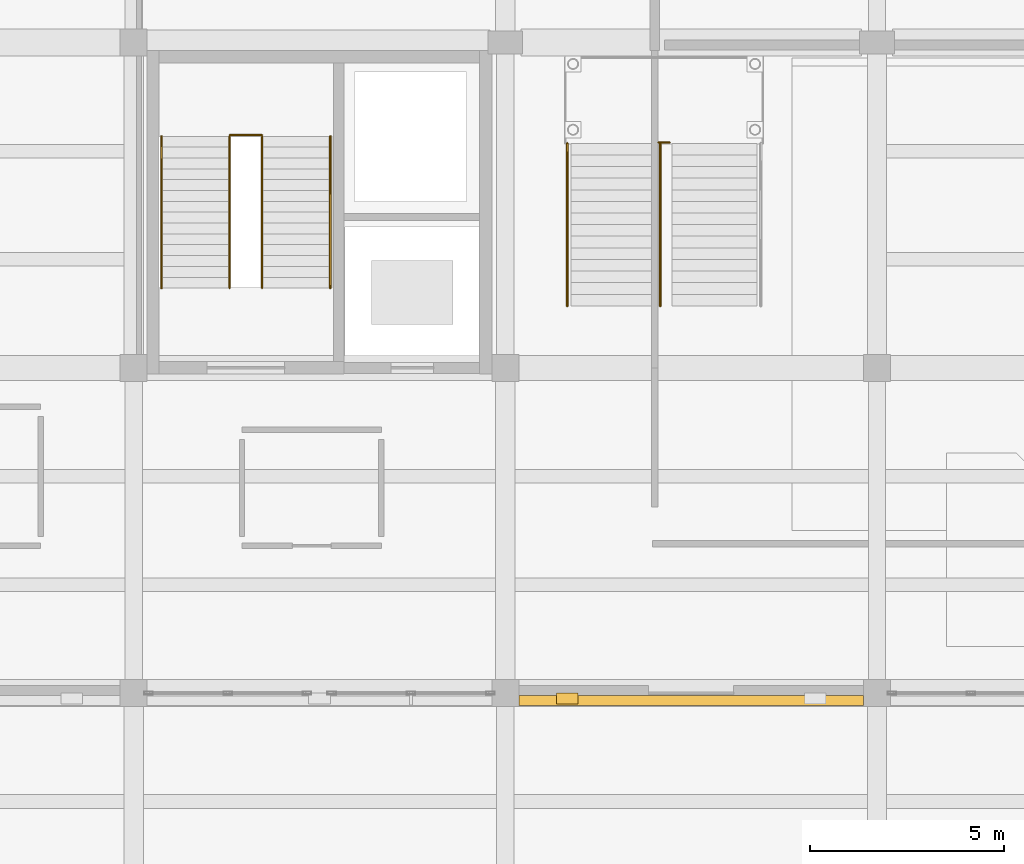
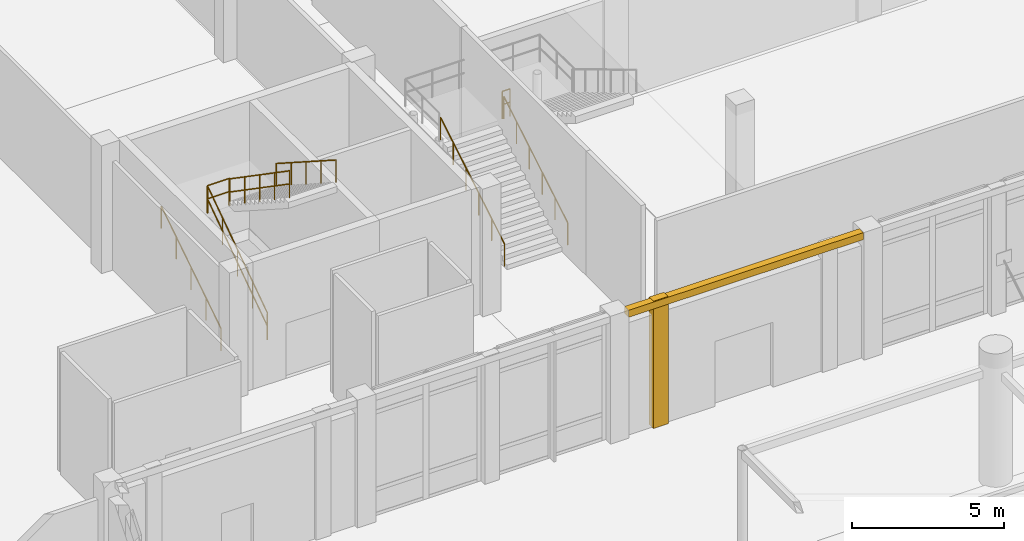
# One storey, part 62 of 71: 8 railings, 2 coverings.
"""IFC4 building model written with IfcOpenShell, lengths in metres."""

from ifc_helpers import new_model, si_unit, direction, frame, origin, origin_2d, place, context, subcontext, project, spatial, polyline, circle, outline, extrude, material, layer, layer_set, type_object, element, save


model = new_model("IFC4")

# Units and contexts
model_context = context("Model", 3, precision=1e-05, world=origin(), true_north=direction((0.0, 1.0)))
body_context = subcontext(model_context, "Body", "Model", "MODEL_VIEW")
ifc_project = project(units=[si_unit("LENGTHUNIT", "METRE"), si_unit("AREAUNIT", "SQUARE_METRE"), si_unit("VOLUMEUNIT", "CUBIC_METRE"), si_unit("PLANEANGLEUNIT", "RADIAN"), si_unit("MASSUNIT", "GRAM", prefix="KILO")], contexts=[model_context])

# Site, building, storey
site_placement = place(None, origin())
site = spatial("IfcSite", under=ifc_project, at=site_placement, CompositionType="ELEMENT")
building_placement = place(site_placement, origin())
building = spatial("IfcBuilding", under=site, at=building_placement, Name="Lornevale Opera House", CompositionType="ELEMENT")
storey_placement = place(building_placement, origin())
storey = spatial("IfcBuildingStorey", under=building, at=storey_placement, Name="L01", CompositionType="ELEMENT", Elevation=0.0)

# Railing
ifc_material_1 = material(Name="Structural Steel CSA G40.21 Grade 350W (350 MPa)", Category="steel")
ifc_layer_1 = layer(ifc_material_1, 0.06005859375)
ifc_layer_set_1 = layer_set([ifc_layer_1], Name="Structural Steel CSA G40.21 Grade 350W (350 MPa)")
railing_type_1 = type_object("IfcRailingType", Name="Atrium Acoustic Balustrade 1120", PredefinedType="BALUSTRADE", material=ifc_layer_set_1)
railing_1_placement = place(storey_placement, frame((61.550048828125, 31.02001953125, 2.699951171875)))
element("IfcRailing", 1, at=railing_1_placement, inside=storey, type_object=railing_type_1, Name="Grand Stair Landing Guard 0210", PredefinedType="BALUSTRADE", context=body_context, shape_type="SweptSolid", body=[
    extrude(circle(Radius=0.02392578125, at=origin_2d()), frame((0.0, 0.0, 1.09619140625), z_axis=(1.0, 0.0, 0.0), x_axis=(0.0, 1.0, 0.0)), (0.0, 0.0, 1.0), 0.300048828125),
    extrude(circle(Radius=0.02392578125, at=origin_2d()), frame((0.0, 0.0, 0.56005859375), z_axis=(1.0, 0.0, 0.0), x_axis=(0.0, 1.0, 0.0)), (0.0, 0.0, 1.0), 0.300048828125),
    extrude(circle(Radius=0.02099609375, at=origin_2d()), origin(), (0.0, 0.0, 1.0), 1.072021484375),
    extrude(circle(Radius=0.02099609375, at=origin_2d()), frame((0.300048828125, 0.0, 0.0)), (0.0, 0.0, 1.0), 1.072021484375),
])

# Coverings
ifc_material_2 = material(Name="Precast Concrete 40 MPa (CSA A23.1 C-1)", Category="concrete")
ifc_layer_2 = layer(ifc_material_2, 0.260009765625)
ifc_layer_set_2 = layer_set([ifc_layer_2], Name="Precast Concrete 40 MPa (CSA A23.1 C-1)")
covering_type_1 = type_object("IfcCoveringType", Name="Postmodern Sandstone Pilaster Rib", PredefinedType="CLADDING", material=ifc_layer_set_2)
covering_1_placement = place(storey_placement, origin())
element("IfcCovering", 2, at=covering_1_placement, inside=storey, type_object=covering_type_1, Name="Postmodern Sandstone Pilaster 0095", PredefinedType="CLADDING", context=body_context, shape_type="SweptSolid", body=[
    extrude(outline(polyline([(59.47607421875, 16.800048828125), (58.916015625, 16.800048828125), (58.916015625, 16.52001953125), (59.47607421875, 16.52001953125), (59.47607421875, 16.800048828125)])), origin(), (0.0, 0.0, 1.0), 5.10009765625),
])
ifc_material_3 = material(Name="Queenston Buff Limestone Ashlar Masonry (25 MPa)", Category="masonry")
ifc_layer_3 = layer(ifc_material_3, 0.1201171875)
ifc_layer_set_3 = layer_set([ifc_layer_3], Name="Queenston Buff Limestone Ashlar Masonry (25 MPa)")
covering_type_2 = type_object("IfcCoveringType", Name="Precast Limestone Cornice Band", PredefinedType="CLADDING", material=ifc_layer_set_3)
covering_2_placement = place(storey_placement, frame((0.0, 0.0, 4.820068359375)))
element("IfcCovering", 3, at=covering_2_placement, inside=storey, type_object=covering_type_2, Name="Precast Limestone Cornice Band 0096", PredefinedType="CLADDING", context=body_context, shape_type="SweptSolid", body=[
    extrude(outline(polyline([(66.85009765625, 16.739990234375), (57.949951171875, 16.739990234375), (57.949951171875, 16.47998046875), (66.85009765625, 16.47998046875), (66.85009765625, 16.739990234375)])), origin(), (0.0, 0.0, 1.0), 0.280029296875),
])

# Railings
ifc_layer_4 = layer(ifc_material_1, 0.050048828125)
ifc_layer_set_4 = layer_set([ifc_layer_4], Name="Structural Steel CSA G40.21 Grade 350W (350 MPa)")
railing_type_2 = type_object("IfcRailingType", Name="Stair Well Guardrail 1100", PredefinedType="GUARDRAIL", material=ifc_layer_set_4)
railing_2_placement = place(storey_placement, frame((50.47998046875, 27.260009765625, 0.0)))
element("IfcRailing", 4, at=railing_2_placement, inside=storey, type_object=railing_type_2, Name="ST-03 Inner Well Guard F1", PredefinedType="GUARDRAIL", context=body_context, shape_type="SweptSolid", body=[
    extrude(circle(Radius=0.02392578125, at=origin_2d()), frame((0.0, 0.0, 1.076171875), z_axis=(0.0, 0.823550731654, 0.567242622158), x_axis=(-1.0, 0.0, 0.0)), (0.0, 0.0, 1.0), 4.759765625),
    extrude(circle(Radius=0.02392578125, at=origin_2d()), frame((0.0, 0.0, 0.550048828125), z_axis=(0.0, 0.823550731654, 0.567242622158), x_axis=(-1.0, 0.0, 0.0)), (0.0, 0.0, 1.0), 4.759765625),
    extrude(circle(Radius=0.02099609375, at=origin_2d()), origin(), (0.0, 0.0, 1.0), 1.052001953125),
    extrude(circle(Radius=0.02099609375, at=origin_2d()), frame((0.0, 0.97998046875, 0.675048828125)), (0.0, 0.0, 1.0), 1.052001953125),
    extrude(circle(Radius=0.02099609375, at=origin_2d()), frame((0.0, 1.9599609375, 1.35009765625)), (0.0, 0.0, 1.0), 1.052001953125),
    extrude(circle(Radius=0.02099609375, at=origin_2d()), frame((0.0, 2.93994140625, 2.02490234375)), (0.0, 0.0, 1.0), 1.052001953125),
    extrude(circle(Radius=0.02099609375, at=origin_2d()), frame((0.0, 3.919921875, 2.699951171875)), (0.0, 0.0, 1.0), 1.052001953125),
])
railing_3_placement = place(storey_placement, frame((51.320068359375, 31.179931640625, 2.699951171875)))
element("IfcRailing", 5, at=railing_3_placement, inside=storey, type_object=railing_type_2, Name="ST-03 Inner Well Guard F2", PredefinedType="GUARDRAIL", context=body_context, shape_type="SweptSolid", body=[
    extrude(circle(Radius=0.02392578125, at=origin_2d()), frame((0.0, 0.0, 1.076171875), z_axis=(0.0, -0.823550731654, 0.567242622158), x_axis=(1.0, 0.0, 0.0)), (0.0, 0.0, 1.0), 4.759765625),
    extrude(circle(Radius=0.02392578125, at=origin_2d()), frame((0.0, 0.0, 0.550048828125), z_axis=(0.0, -0.823550731654, 0.567242622158), x_axis=(1.0, 0.0, 0.0)), (0.0, 0.0, 1.0), 4.759765625),
    extrude(circle(Radius=0.02099609375, at=origin_2d()), origin(), (0.0, 0.0, 1.0), 1.052001953125),
    extrude(circle(Radius=0.02099609375, at=origin_2d()), frame((0.0, -0.97998046875, 0.675048828125)), (0.0, 0.0, 1.0), 1.052001953125),
    extrude(circle(Radius=0.02099609375, at=origin_2d()), frame((0.0, -1.9599609375, 1.35009765625)), (0.0, 0.0, 1.0), 1.052001953125),
    extrude(circle(Radius=0.02099609375, at=origin_2d()), frame((0.0, -2.93994140625, 2.02490234375)), (0.0, 0.0, 1.0), 1.052001953125),
    extrude(circle(Radius=0.02099609375, at=origin_2d()), frame((0.0, -3.919921875, 2.699951171875)), (0.0, 0.0, 1.0), 1.052001953125),
])
railing_4_placement = place(storey_placement, frame((50.47998046875, 31.2099609375, 2.699951171875)))
element("IfcRailing", 6, at=railing_4_placement, inside=storey, type_object=railing_type_2, Name="ST-03 Half-Landing Slot Guard", PredefinedType="GUARDRAIL", context=body_context, shape_type="SweptSolid", body=[
    extrude(circle(Radius=0.02392578125, at=origin_2d()), frame((0.0, 0.0, 1.076171875), z_axis=(1.0, 0.0, 0.0), x_axis=(0.0, 1.0, 0.0)), (0.0, 0.0, 1.0), 0.840087890625),
    extrude(circle(Radius=0.02392578125, at=origin_2d()), frame((0.0, 0.0, 0.550048828125), z_axis=(1.0, 0.0, 0.0), x_axis=(0.0, 1.0, 0.0)), (0.0, 0.0, 1.0), 0.840087890625),
    extrude(circle(Radius=0.02099609375, at=origin_2d()), origin(), (0.0, 0.0, 1.0), 1.052001953125),
    extrude(circle(Radius=0.02099609375, at=origin_2d()), frame((0.840087890625, 0.0, 0.0)), (0.0, 0.0, 1.0), 1.052001953125),
])
ifc_layer_5 = layer(ifc_material_1, 0.048095703125)
ifc_layer_set_5 = layer_set([ifc_layer_5], Name="Structural Steel CSA G40.21 Grade 350W (350 MPa)")
railing_type_3 = type_object("IfcRailingType", Name="Tubular Stair Handrail 915", PredefinedType="HANDRAIL", material=ifc_layer_set_5)
railing_5_placement = place(storey_placement, frame((48.719970703125, 27.260009765625, 0.18310546875)))
element("IfcRailing", 7, at=railing_5_placement, inside=storey, type_object=railing_type_3, Name="ST-03 Outer Handrail F1", PredefinedType="HANDRAIL", context=body_context, shape_type="SweptSolid", body=[
    extrude(circle(Radius=0.02392578125, at=origin_2d()), frame((0.0, 0.0, 0.89111328125), z_axis=(0.0, 0.84119549742, 0.540731111663), x_axis=(-1.0, 0.0, 0.0)), (0.0, 0.0, 1.0), 4.659912109375),
    extrude(circle(Radius=0.02099609375, at=origin_2d()), origin(), (0.0, 0.0, 1.0), 0.866943359375),
    extrude(circle(Radius=0.02099609375, at=origin_2d()), frame((0.0, 0.97998046875, 0.6298828125)), (0.0, 0.0, 1.0), 0.866943359375),
    extrude(circle(Radius=0.02099609375, at=origin_2d()), frame((0.0, 1.9599609375, 1.259765625)), (0.0, 0.0, 1.0), 0.866943359375),
    extrude(circle(Radius=0.02099609375, at=origin_2d()), frame((0.0, 2.93994140625, 1.889892578125)), (0.0, 0.0, 1.0), 0.866943359375),
    extrude(circle(Radius=0.02099609375, at=origin_2d()), frame((0.0, 3.919921875, 2.519775390625)), (0.0, 0.0, 1.0), 0.866943359375),
])
railing_6_placement = place(storey_placement, frame((53.080078125, 31.179931640625, 2.883056640625)))
element("IfcRailing", 8, at=railing_6_placement, inside=storey, type_object=railing_type_3, Name="ST-03 Outer Handrail F2", PredefinedType="HANDRAIL", context=body_context, shape_type="SweptSolid", body=[
    extrude(circle(Radius=0.02392578125, at=origin_2d()), frame((0.0, 0.0, 0.89111328125), z_axis=(0.0, -0.841171666519, 0.540768182723), x_axis=(1.0, 0.0, 0.0)), (0.0, 0.0, 1.0), 4.66015625),
    extrude(circle(Radius=0.02099609375, at=origin_2d()), origin(), (0.0, 0.0, 1.0), 0.866943359375),
    extrude(circle(Radius=0.02099609375, at=origin_2d()), frame((0.0, -0.97998046875, 0.6298828125)), (0.0, 0.0, 1.0), 0.866943359375),
    extrude(circle(Radius=0.02099609375, at=origin_2d()), frame((0.0, -1.9599609375, 1.260009765625)), (0.0, 0.0, 1.0), 0.866943359375),
    extrude(circle(Radius=0.02099609375, at=origin_2d()), frame((0.0, -2.93994140625, 1.89013671875)), (0.0, 0.0, 1.0), 0.866943359375),
    extrude(circle(Radius=0.02099609375, at=origin_2d()), frame((0.0, -3.919921875, 2.52001953125)), (0.0, 0.0, 1.0), 0.866943359375),
])
for number, where, name in (
    (9, (59.199951171875, 26.800048828125, 0.18310546875), "Grand Stair Handrail 0204"),
    (10, (61.60009765625, 26.800048828125, 0.18310546875), "Grand Stair Handrail 0205"),
):
    element("IfcRailing", number, at=place(storey_placement, frame(where)), inside=storey, type_object=railing_type_3, Name=name, PredefinedType="HANDRAIL", context=body_context, shape_type="SweptSolid", body=[
        extrude(circle(Radius=0.02392578125, at=origin_2d()), frame((0.0, 0.0, 0.89111328125), z_axis=(0.0, 0.857510518118, 0.514466433616), x_axis=(-1.0, 0.0, 0.0)), (0.0, 0.0, 1.0), 4.89794921875),
        extrude(circle(Radius=0.02099609375, at=origin_2d()), origin(), (0.0, 0.0, 1.0), 0.866943359375),
        extrude(circle(Radius=0.02099609375, at=origin_2d()), frame((0.0, 0.840087890625, 0.50390625)), (0.0, 0.0, 1.0), 0.866943359375),
        extrude(circle(Radius=0.02099609375, at=origin_2d()), frame((0.0, 1.679931640625, 1.0078125)), (0.0, 0.0, 1.0), 0.866943359375),
        extrude(circle(Radius=0.02099609375, at=origin_2d()), frame((0.0, 2.52001953125, 1.511962890625)), (0.0, 0.0, 1.0), 0.866943359375),
        extrude(circle(Radius=0.02099609375, at=origin_2d()), frame((0.0, 3.35986328125, 2.015869140625)), (0.0, 0.0, 1.0), 0.866943359375),
        extrude(circle(Radius=0.02099609375, at=origin_2d()), frame((0.0, 4.199951171875, 2.519775390625)), (0.0, 0.0, 1.0), 0.866943359375),
    ])

save(model, "model.ifc")
